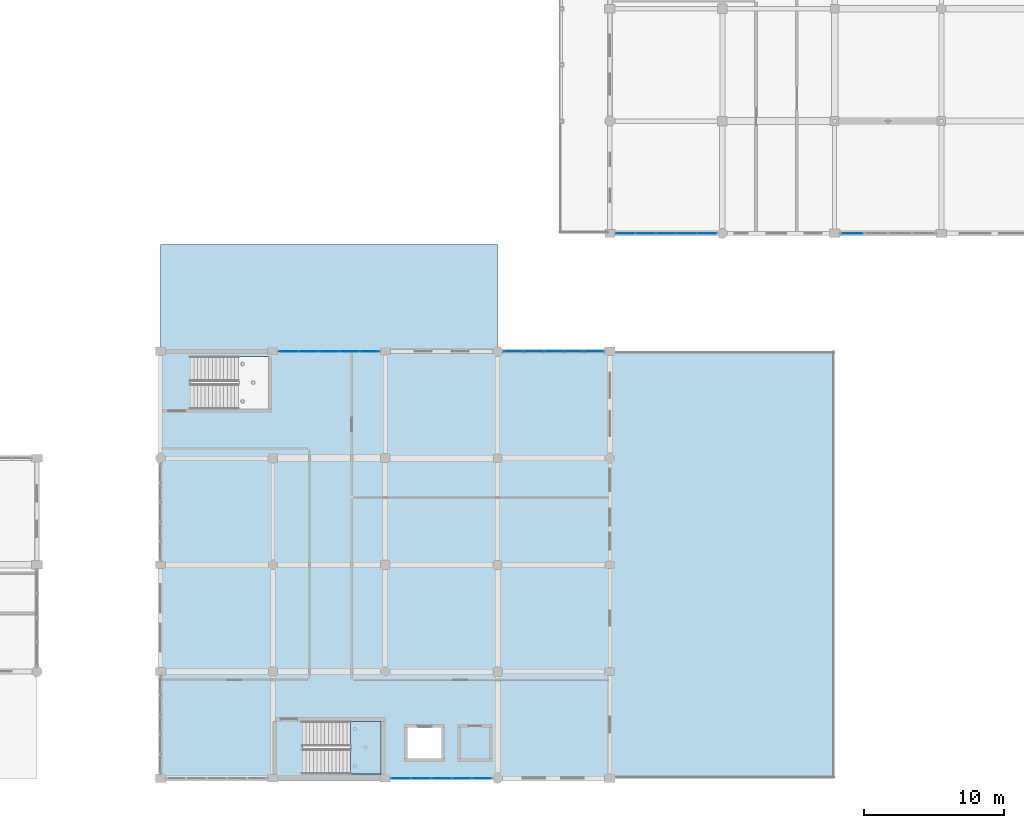
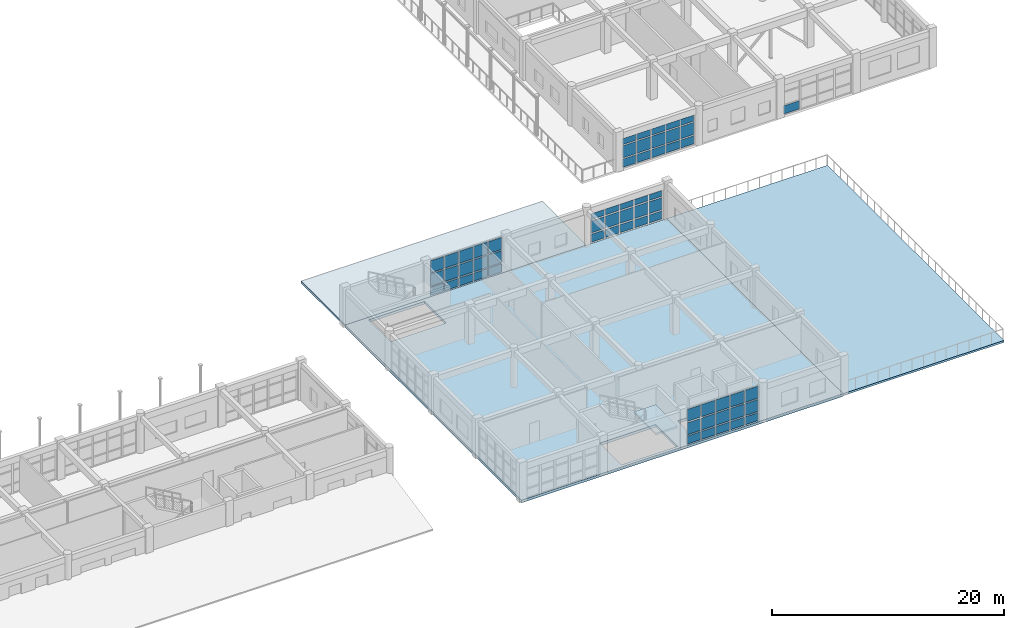
# One storey, part 152 of 195: 61 plates, 4 slabs, 6 elements without a shape of their own.
"""IFC4 building model written with IfcOpenShell, lengths in metres."""

from ifc_helpers import new_model, si_unit, direction, frame, origin, origin_2d, place, context, subcontext, project, spatial, polyline, rectangle, outline, extrude, material, layer, layer_set, type_object, element, aggregate, save


model = new_model("IFC4")

# Units and contexts
model_context = context("Model", 3, precision=1e-05, world=origin(), true_north=direction((0.0, 1.0)))
body_context = subcontext(model_context, "Body", "Model", "MODEL_VIEW")
ifc_project = project(units=[si_unit("LENGTHUNIT", "METRE"), si_unit("AREAUNIT", "SQUARE_METRE"), si_unit("VOLUMEUNIT", "CUBIC_METRE"), si_unit("PLANEANGLEUNIT", "RADIAN"), si_unit("MASSUNIT", "GRAM", prefix="KILO")], contexts=[model_context])

# Site, building, storey
site_placement = place(None, origin())
site = spatial("IfcSite", under=ifc_project, at=site_placement, CompositionType="ELEMENT")
building_placement = place(site_placement, origin())
building = spatial("IfcBuilding", under=site, at=building_placement, Name="Kharva Crest Polytechnic", CompositionType="ELEMENT")
storey_placement = place(building_placement, frame((0.0, 0.0, 9.0)))
storey = spatial("IfcBuildingStorey", under=building, at=storey_placement, Name="L02", CompositionType="ELEMENT", Elevation=9.0)

# Curtain wall, plates
ifc_material_1 = material(Name="Tempered insulated glass", Category="glass")
curtain_wall_type_1 = type_object("IfcCurtainWallType", Name="CW-SYS-COURT", PredefinedType="USERDEFINED", material=ifc_material_1)
curtain_wall_1_placement = place(storey_placement, origin())
curtain_wall_1 = element("IfcCurtainWall", 1, at=curtain_wall_1_placement, inside=storey, type_object=curtain_wall_type_1, Name="L02 Glazed Curtain Wall CW-101", ObjectType="CURTAIN WALL", PredefinedType="USERDEFINED")
ifc_layer_1 = layer(ifc_material_1, 0.02392578125, Name="Tempered insulated glass")
ifc_layer_set_1 = layer_set([ifc_layer_1], Name="Tempered insulated glass")
plate_type_1 = type_object("IfcPlateType", Name="CWP-GLZ-24", PredefinedType="CURTAIN_PANEL", material=ifc_layer_set_1)
plate_1_placement = place(storey_placement, frame((153.912109375, 38.800048828125, 0.119873046875), z_axis=(0.0, 0.0, 1.0), x_axis=(1.0, 0.0, 0.0)))
plate_1 = element("IfcPlate", 2, at=plate_1_placement, type_object=plate_type_1, Name="CW-101 panel 1.1", PredefinedType="CURTAIN_PANEL", context=body_context, shape_type="SweptSolid", body=[
    extrude(rectangle(XDim=1.333984375, YDim=0.02392578125, at=origin_2d()), origin(), (0.0, 0.0, 1.0), 0.8701171875),
])
plate_2_placement = place(storey_placement, frame((153.912109375, 38.800048828125, 1.10986328125), z_axis=(0.0, 0.0, 1.0), x_axis=(1.0, 0.0, 0.0)))
plate_2 = element("IfcPlate", 3, at=plate_2_placement, type_object=plate_type_1, Name="CW-101 panel 1.2", PredefinedType="CURTAIN_PANEL", context=body_context, shape_type="SweptSolid", body=[
    extrude(rectangle(XDim=1.333984375, YDim=0.02392578125, at=origin_2d()), origin(), (0.0, 0.0, 1.0), 1.280029296875),
])
plate_3_placement = place(storey_placement, frame((153.912109375, 38.800048828125, 2.51025390625), z_axis=(0.0, 0.0, 1.0), x_axis=(1.0, 0.0, 0.0)))
plate_3 = element("IfcPlate", 4, at=plate_3_placement, type_object=plate_type_1, Name="CW-101 panel 1.3", PredefinedType="CURTAIN_PANEL", context=body_context, shape_type="SweptSolid", body=[
    extrude(rectangle(XDim=1.333984375, YDim=0.02392578125, at=origin_2d()), origin(), (0.0, 0.0, 1.0), 0.639892578125),
])
plate_4_placement = place(storey_placement, frame((155.345947265625, 38.800048828125, 0.119873046875), z_axis=(0.0, 0.0, 1.0), x_axis=(1.0, 0.0, 0.0)))
plate_4 = element("IfcPlate", 5, at=plate_4_placement, type_object=plate_type_1, Name="CW-101 panel 2.1", PredefinedType="CURTAIN_PANEL", context=body_context, shape_type="SweptSolid", body=[
    extrude(rectangle(XDim=1.3740234375, YDim=0.02392578125, at=origin_2d()), origin(), (0.0, 0.0, 1.0), 0.8701171875),
])
plate_5_placement = place(storey_placement, frame((155.345947265625, 38.800048828125, 1.10986328125), z_axis=(0.0, 0.0, 1.0), x_axis=(1.0, 0.0, 0.0)))
plate_5 = element("IfcPlate", 6, at=plate_5_placement, type_object=plate_type_1, Name="CW-101 panel 2.2", PredefinedType="CURTAIN_PANEL", context=body_context, shape_type="SweptSolid", body=[
    extrude(rectangle(XDim=1.3740234375, YDim=0.02392578125, at=origin_2d()), origin(), (0.0, 0.0, 1.0), 1.280029296875),
])
plate_6_placement = place(storey_placement, frame((155.345947265625, 38.800048828125, 2.51025390625), z_axis=(0.0, 0.0, 1.0), x_axis=(1.0, 0.0, 0.0)))
plate_6 = element("IfcPlate", 7, at=plate_6_placement, type_object=plate_type_1, Name="CW-101 panel 2.3", PredefinedType="CURTAIN_PANEL", context=body_context, shape_type="SweptSolid", body=[
    extrude(rectangle(XDim=1.3740234375, YDim=0.02392578125, at=origin_2d()), origin(), (0.0, 0.0, 1.0), 0.639892578125),
])
plate_7_placement = place(storey_placement, frame((156.800048828125, 38.800048828125, 0.119873046875), z_axis=(0.0, 0.0, 1.0), x_axis=(1.0, 0.0, 0.0)))
plate_7 = element("IfcPlate", 8, at=plate_7_placement, type_object=plate_type_1, Name="CW-101 panel 3.1", PredefinedType="CURTAIN_PANEL", context=body_context, shape_type="SweptSolid", body=[
    extrude(rectangle(XDim=1.3740234375, YDim=0.02392578125, at=origin_2d()), origin(), (0.0, 0.0, 1.0), 0.8701171875),
])
plate_8_placement = place(storey_placement, frame((156.800048828125, 38.800048828125, 1.10986328125), z_axis=(0.0, 0.0, 1.0), x_axis=(1.0, 0.0, 0.0)))
plate_8 = element("IfcPlate", 9, at=plate_8_placement, type_object=plate_type_1, Name="CW-101 panel 3.2", PredefinedType="CURTAIN_PANEL", context=body_context, shape_type="SweptSolid", body=[
    extrude(rectangle(XDim=1.3740234375, YDim=0.02392578125, at=origin_2d()), origin(), (0.0, 0.0, 1.0), 1.280029296875),
])
plate_9_placement = place(storey_placement, frame((156.800048828125, 38.800048828125, 2.51025390625), z_axis=(0.0, 0.0, 1.0), x_axis=(1.0, 0.0, 0.0)))
plate_9 = element("IfcPlate", 10, at=plate_9_placement, type_object=plate_type_1, Name="CW-101 panel 3.3", PredefinedType="CURTAIN_PANEL", context=body_context, shape_type="SweptSolid", body=[
    extrude(rectangle(XDim=1.3740234375, YDim=0.02392578125, at=origin_2d()), origin(), (0.0, 0.0, 1.0), 0.639892578125),
])
plate_10_placement = place(storey_placement, frame((158.25390625, 38.800048828125, 0.119873046875), z_axis=(0.0, 0.0, 1.0), x_axis=(1.0, 0.0, 0.0)))
plate_10 = element("IfcPlate", 11, at=plate_10_placement, type_object=plate_type_1, Name="CW-101 panel 4.1", PredefinedType="CURTAIN_PANEL", context=body_context, shape_type="SweptSolid", body=[
    extrude(rectangle(XDim=1.3740234375, YDim=0.02392578125, at=origin_2d()), origin(), (0.0, 0.0, 1.0), 0.8701171875),
])
plate_11_placement = place(storey_placement, frame((158.25390625, 38.800048828125, 1.10986328125), z_axis=(0.0, 0.0, 1.0), x_axis=(1.0, 0.0, 0.0)))
plate_11 = element("IfcPlate", 12, at=plate_11_placement, type_object=plate_type_1, Name="CW-101 panel 4.2", PredefinedType="CURTAIN_PANEL", context=body_context, shape_type="SweptSolid", body=[
    extrude(rectangle(XDim=1.3740234375, YDim=0.02392578125, at=origin_2d()), origin(), (0.0, 0.0, 1.0), 1.280029296875),
])
plate_12_placement = place(storey_placement, frame((158.25390625, 38.800048828125, 2.51025390625), z_axis=(0.0, 0.0, 1.0), x_axis=(1.0, 0.0, 0.0)))
plate_12 = element("IfcPlate", 13, at=plate_12_placement, type_object=plate_type_1, Name="CW-101 panel 4.3", PredefinedType="CURTAIN_PANEL", context=body_context, shape_type="SweptSolid", body=[
    extrude(rectangle(XDim=1.3740234375, YDim=0.02392578125, at=origin_2d()), origin(), (0.0, 0.0, 1.0), 0.639892578125),
])
plate_13_placement = place(storey_placement, frame((159.68798828125, 38.800048828125, 0.119873046875), z_axis=(0.0, 0.0, 1.0), x_axis=(1.0, 0.0, 0.0)))
plate_13 = element("IfcPlate", 14, at=plate_13_placement, type_object=plate_type_1, Name="CW-101 panel 5.1", PredefinedType="CURTAIN_PANEL", context=body_context, shape_type="SweptSolid", body=[
    extrude(rectangle(XDim=1.333984375, YDim=0.02392578125, at=origin_2d()), origin(), (0.0, 0.0, 1.0), 0.8701171875),
])
plate_14_placement = place(storey_placement, frame((159.68798828125, 38.800048828125, 1.10986328125), z_axis=(0.0, 0.0, 1.0), x_axis=(1.0, 0.0, 0.0)))
plate_14 = element("IfcPlate", 15, at=plate_14_placement, type_object=plate_type_1, Name="CW-101 panel 5.2", PredefinedType="CURTAIN_PANEL", context=body_context, shape_type="SweptSolid", body=[
    extrude(rectangle(XDim=1.333984375, YDim=0.02392578125, at=origin_2d()), origin(), (0.0, 0.0, 1.0), 1.280029296875),
])
plate_15_placement = place(storey_placement, frame((159.68798828125, 38.800048828125, 2.51025390625), z_axis=(0.0, 0.0, 1.0), x_axis=(1.0, 0.0, 0.0)))
plate_15 = element("IfcPlate", 16, at=plate_15_placement, type_object=plate_type_1, Name="CW-101 panel 5.3", PredefinedType="CURTAIN_PANEL", context=body_context, shape_type="SweptSolid", body=[
    extrude(rectangle(XDim=1.333984375, YDim=0.02392578125, at=origin_2d()), origin(), (0.0, 0.0, 1.0), 0.639892578125),
])
aggregate(curtain_wall_1, [plate_1, plate_2, plate_3, plate_4, plate_5, plate_6, plate_7, plate_8, plate_9, plate_10, plate_11, plate_12, plate_13, plate_14, plate_15])

# Curtain wall, plate
curtain_wall_2_placement = place(storey_placement, origin())
curtain_wall_2 = element("IfcCurtainWall", 17, at=curtain_wall_2_placement, inside=storey, type_object=curtain_wall_type_1, Name="L02 Glazed Curtain Wall CW-102", ObjectType="CURTAIN WALL", PredefinedType="USERDEFINED")
plate_16_placement = place(storey_placement, frame((170.054931640625, 38.800048828125, 0.119873046875), z_axis=(0.0, 0.0, 1.0), x_axis=(1.0, 0.0, 0.0)))
plate_16 = element("IfcPlate", 18, at=plate_16_placement, type_object=plate_type_1, Name="CW-102 panel 1.1", PredefinedType="CURTAIN_PANEL", context=body_context, shape_type="SweptSolid", body=[
    extrude(rectangle(XDim=1.590087890625, YDim=0.02392578125, at=origin_2d()), origin(), (0.0, 0.0, 1.0), 0.8701171875),
])
aggregate(curtain_wall_2, [plate_16])

# Curtain wall, plates
curtain_wall_type_2 = type_object("IfcCurtainWallType", Name="CW-SYS-REFECTORY", PredefinedType="USERDEFINED", material=ifc_material_1)
curtain_wall_3_placement = place(storey_placement, origin())
curtain_wall_3 = element("IfcCurtainWall", 19, at=curtain_wall_3_placement, inside=storey, type_object=curtain_wall_type_2, Name="L02 Glazed Curtain Wall CW-095", ObjectType="CURTAIN WALL", PredefinedType="USERDEFINED")
ifc_layer_2 = layer(ifc_material_1, 0.030029296875, Name="Tempered insulated glass")
ifc_layer_set_2 = layer_set([ifc_layer_2], Name="Tempered insulated glass")
plate_type_2 = type_object("IfcPlateType", Name="CWP-GLZ-30", PredefinedType="CURTAIN_PANEL", material=ifc_layer_set_2)
plate_17_placement = place(storey_placement, frame((137.9169921875, 0.0, 0.14013671875), z_axis=(0.0, 0.0, 1.0), x_axis=(1.0, 0.0, 0.0)))
plate_17 = element("IfcPlate", 20, at=plate_17_placement, type_object=plate_type_2, Name="CW-095 panel 1.1", PredefinedType="CURTAIN_PANEL", context=body_context, shape_type="SweptSolid", body=[
    extrude(rectangle(XDim=1.303955078125, YDim=0.030029296875, at=origin_2d()), origin(), (0.0, 0.0, 1.0), 0.840087890625),
])
plate_18_placement = place(storey_placement, frame((137.9169921875, 0.0, 1.1201171875), z_axis=(0.0, 0.0, 1.0), x_axis=(1.0, 0.0, 0.0)))
plate_18 = element("IfcPlate", 21, at=plate_18_placement, type_object=plate_type_2, Name="CW-095 panel 1.2", PredefinedType="CURTAIN_PANEL", context=body_context, shape_type="SweptSolid", body=[
    extrude(rectangle(XDim=1.303955078125, YDim=0.030029296875, at=origin_2d()), origin(), (0.0, 0.0, 1.0), 1.260009765625),
])
plate_19_placement = place(storey_placement, frame((137.9169921875, 0.0, 2.52001953125), z_axis=(0.0, 0.0, 1.0), x_axis=(1.0, 0.0, 0.0)))
plate_19 = element("IfcPlate", 22, at=plate_19_placement, type_object=plate_type_2, Name="CW-095 panel 1.3", PredefinedType="CURTAIN_PANEL", context=body_context, shape_type="SweptSolid", body=[
    extrude(rectangle(XDim=1.303955078125, YDim=0.030029296875, at=origin_2d()), origin(), (0.0, 0.0, 1.0), 1.260009765625),
])
plate_20_placement = place(storey_placement, frame((139.345947265625, 0.0, 0.14013671875), z_axis=(0.0, 0.0, 1.0), x_axis=(1.0, 0.0, 0.0)))
plate_20 = element("IfcPlate", 23, at=plate_20_placement, type_object=plate_type_2, Name="CW-095 panel 2.1", PredefinedType="CURTAIN_PANEL", context=body_context, shape_type="SweptSolid", body=[
    extrude(rectangle(XDim=1.35400390625, YDim=0.030029296875, at=origin_2d()), origin(), (0.0, 0.0, 1.0), 0.840087890625),
])
plate_21_placement = place(storey_placement, frame((139.345947265625, 0.0, 1.1201171875), z_axis=(0.0, 0.0, 1.0), x_axis=(1.0, 0.0, 0.0)))
plate_21 = element("IfcPlate", 24, at=plate_21_placement, type_object=plate_type_2, Name="CW-095 panel 2.2", PredefinedType="CURTAIN_PANEL", context=body_context, shape_type="SweptSolid", body=[
    extrude(rectangle(XDim=1.35400390625, YDim=0.030029296875, at=origin_2d()), origin(), (0.0, 0.0, 1.0), 1.260009765625),
])
plate_22_placement = place(storey_placement, frame((139.345947265625, 0.0, 2.52001953125), z_axis=(0.0, 0.0, 1.0), x_axis=(1.0, 0.0, 0.0)))
plate_22 = element("IfcPlate", 25, at=plate_22_placement, type_object=plate_type_2, Name="CW-095 panel 2.3", PredefinedType="CURTAIN_PANEL", context=body_context, shape_type="SweptSolid", body=[
    extrude(rectangle(XDim=1.35400390625, YDim=0.030029296875, at=origin_2d()), origin(), (0.0, 0.0, 1.0), 1.260009765625),
])
plate_23_placement = place(storey_placement, frame((140.800048828125, 0.0, 0.14013671875), z_axis=(0.0, 0.0, 1.0), x_axis=(1.0, 0.0, 0.0)))
plate_23 = element("IfcPlate", 26, at=plate_23_placement, type_object=plate_type_2, Name="CW-095 panel 3.1", PredefinedType="CURTAIN_PANEL", context=body_context, shape_type="SweptSolid", body=[
    extrude(rectangle(XDim=1.35400390625, YDim=0.030029296875, at=origin_2d()), origin(), (0.0, 0.0, 1.0), 0.840087890625),
])
plate_24_placement = place(storey_placement, frame((140.800048828125, 0.0, 1.1201171875), z_axis=(0.0, 0.0, 1.0), x_axis=(1.0, 0.0, 0.0)))
plate_24 = element("IfcPlate", 27, at=plate_24_placement, type_object=plate_type_2, Name="CW-095 panel 3.2", PredefinedType="CURTAIN_PANEL", context=body_context, shape_type="SweptSolid", body=[
    extrude(rectangle(XDim=1.35400390625, YDim=0.030029296875, at=origin_2d()), origin(), (0.0, 0.0, 1.0), 1.260009765625),
])
plate_25_placement = place(storey_placement, frame((140.800048828125, 0.0, 2.52001953125), z_axis=(0.0, 0.0, 1.0), x_axis=(1.0, 0.0, 0.0)))
plate_25 = element("IfcPlate", 28, at=plate_25_placement, type_object=plate_type_2, Name="CW-095 panel 3.3", PredefinedType="CURTAIN_PANEL", context=body_context, shape_type="SweptSolid", body=[
    extrude(rectangle(XDim=1.35400390625, YDim=0.030029296875, at=origin_2d()), origin(), (0.0, 0.0, 1.0), 1.260009765625),
])
plate_26_placement = place(storey_placement, frame((142.25390625, 0.0, 0.14013671875), z_axis=(0.0, 0.0, 1.0), x_axis=(1.0, 0.0, 0.0)))
plate_26 = element("IfcPlate", 29, at=plate_26_placement, type_object=plate_type_2, Name="CW-095 panel 4.1", PredefinedType="CURTAIN_PANEL", context=body_context, shape_type="SweptSolid", body=[
    extrude(rectangle(XDim=1.35400390625, YDim=0.030029296875, at=origin_2d()), origin(), (0.0, 0.0, 1.0), 0.840087890625),
])
plate_27_placement = place(storey_placement, frame((142.25390625, 0.0, 1.1201171875), z_axis=(0.0, 0.0, 1.0), x_axis=(1.0, 0.0, 0.0)))
plate_27 = element("IfcPlate", 30, at=plate_27_placement, type_object=plate_type_2, Name="CW-095 panel 4.2", PredefinedType="CURTAIN_PANEL", context=body_context, shape_type="SweptSolid", body=[
    extrude(rectangle(XDim=1.35400390625, YDim=0.030029296875, at=origin_2d()), origin(), (0.0, 0.0, 1.0), 1.260009765625),
])
plate_28_placement = place(storey_placement, frame((142.25390625, 0.0, 2.52001953125), z_axis=(0.0, 0.0, 1.0), x_axis=(1.0, 0.0, 0.0)))
plate_28 = element("IfcPlate", 31, at=plate_28_placement, type_object=plate_type_2, Name="CW-095 panel 4.3", PredefinedType="CURTAIN_PANEL", context=body_context, shape_type="SweptSolid", body=[
    extrude(rectangle(XDim=1.35400390625, YDim=0.030029296875, at=origin_2d()), origin(), (0.0, 0.0, 1.0), 1.260009765625),
])
plate_29_placement = place(storey_placement, frame((143.68310546875, 0.0, 0.14013671875), z_axis=(0.0, 0.0, 1.0), x_axis=(1.0, 0.0, 0.0)))
plate_29 = element("IfcPlate", 32, at=plate_29_placement, type_object=plate_type_2, Name="CW-095 panel 5.1", PredefinedType="CURTAIN_PANEL", context=body_context, shape_type="SweptSolid", body=[
    extrude(rectangle(XDim=1.303955078125, YDim=0.030029296875, at=origin_2d()), origin(), (0.0, 0.0, 1.0), 0.840087890625),
])
plate_30_placement = place(storey_placement, frame((143.68310546875, 0.0, 1.1201171875), z_axis=(0.0, 0.0, 1.0), x_axis=(1.0, 0.0, 0.0)))
plate_30 = element("IfcPlate", 33, at=plate_30_placement, type_object=plate_type_2, Name="CW-095 panel 5.2", PredefinedType="CURTAIN_PANEL", context=body_context, shape_type="SweptSolid", body=[
    extrude(rectangle(XDim=1.303955078125, YDim=0.030029296875, at=origin_2d()), origin(), (0.0, 0.0, 1.0), 1.260009765625),
])
plate_31_placement = place(storey_placement, frame((143.68310546875, 0.0, 2.52001953125), z_axis=(0.0, 0.0, 1.0), x_axis=(1.0, 0.0, 0.0)))
plate_31 = element("IfcPlate", 34, at=plate_31_placement, type_object=plate_type_2, Name="CW-095 panel 5.3", PredefinedType="CURTAIN_PANEL", context=body_context, shape_type="SweptSolid", body=[
    extrude(rectangle(XDim=1.303955078125, YDim=0.030029296875, at=origin_2d()), origin(), (0.0, 0.0, 1.0), 1.260009765625),
])
aggregate(curtain_wall_3, [plate_17, plate_18, plate_19, plate_20, plate_21, plate_22, plate_23, plate_24, plate_25, plate_26, plate_27, plate_28, plate_29, plate_30, plate_31])

curtain_wall_4_placement = place(storey_placement, origin())
curtain_wall_4 = element("IfcCurtainWall", 35, at=curtain_wall_4_placement, inside=storey, type_object=curtain_wall_type_2, Name="L02 Glazed Curtain Wall CW-096", ObjectType="CURTAIN WALL", PredefinedType="USERDEFINED")
plate_32_placement = place(storey_placement, frame((151.66943359375, 30.39990234375, 0.14013671875), z_axis=(0.0, 0.0, 1.0), x_axis=(-1.0, 0.0, 0.0)))
plate_32 = element("IfcPlate", 36, at=plate_32_placement, type_object=plate_type_2, Name="CW-096 panel 1.1", PredefinedType="CURTAIN_PANEL", context=body_context, shape_type="SweptSolid", body=[
    extrude(rectangle(XDim=1.301025390625, YDim=0.030029296875, at=origin_2d()), origin(), (0.0, 0.0, 1.0), 0.840087890625),
])
plate_33_placement = place(storey_placement, frame((151.66943359375, 30.39990234375, 1.1201171875), z_axis=(0.0, 0.0, 1.0), x_axis=(-1.0, 0.0, 0.0)))
plate_33 = element("IfcPlate", 37, at=plate_33_placement, type_object=plate_type_2, Name="CW-096 panel 1.2", PredefinedType="CURTAIN_PANEL", context=body_context, shape_type="SweptSolid", body=[
    extrude(rectangle(XDim=1.301025390625, YDim=0.030029296875, at=origin_2d()), origin(), (0.0, 0.0, 1.0), 1.260009765625),
])
plate_34_placement = place(storey_placement, frame((151.66943359375, 30.39990234375, 2.52001953125), z_axis=(0.0, 0.0, 1.0), x_axis=(-1.0, 0.0, 0.0)))
plate_34 = element("IfcPlate", 38, at=plate_34_placement, type_object=plate_type_2, Name="CW-096 panel 1.3", PredefinedType="CURTAIN_PANEL", context=body_context, shape_type="SweptSolid", body=[
    extrude(rectangle(XDim=1.301025390625, YDim=0.030029296875, at=origin_2d()), origin(), (0.0, 0.0, 1.0), 0.610107421875),
])
plate_35_placement = place(storey_placement, frame((150.243408203125, 30.39990234375, 0.14013671875), z_axis=(0.0, 0.0, 1.0), x_axis=(-1.0, 0.0, 0.0)))
plate_35 = element("IfcPlate", 39, at=plate_35_placement, type_object=plate_type_2, Name="CW-096 panel 2.1", PredefinedType="CURTAIN_PANEL", context=body_context, shape_type="SweptSolid", body=[
    extrude(rectangle(XDim=1.35107421875, YDim=0.030029296875, at=origin_2d()), origin(), (0.0, 0.0, 1.0), 0.840087890625),
])
plate_36_placement = place(storey_placement, frame((150.243408203125, 30.39990234375, 1.1201171875), z_axis=(0.0, 0.0, 1.0), x_axis=(-1.0, 0.0, 0.0)))
plate_36 = element("IfcPlate", 40, at=plate_36_placement, type_object=plate_type_2, Name="CW-096 panel 2.2", PredefinedType="CURTAIN_PANEL", context=body_context, shape_type="SweptSolid", body=[
    extrude(rectangle(XDim=1.35107421875, YDim=0.030029296875, at=origin_2d()), origin(), (0.0, 0.0, 1.0), 1.260009765625),
])
plate_37_placement = place(storey_placement, frame((150.243408203125, 30.39990234375, 2.52001953125), z_axis=(0.0, 0.0, 1.0), x_axis=(-1.0, 0.0, 0.0)))
plate_37 = element("IfcPlate", 41, at=plate_37_placement, type_object=plate_type_2, Name="CW-096 panel 2.3", PredefinedType="CURTAIN_PANEL", context=body_context, shape_type="SweptSolid", body=[
    extrude(rectangle(XDim=1.35107421875, YDim=0.030029296875, at=origin_2d()), origin(), (0.0, 0.0, 1.0), 0.610107421875),
])
plate_38_placement = place(storey_placement, frame((148.79248046875, 30.39990234375, 0.14013671875), z_axis=(0.0, 0.0, 1.0), x_axis=(-1.0, 0.0, 0.0)))
plate_38 = element("IfcPlate", 42, at=plate_38_placement, type_object=plate_type_2, Name="CW-096 panel 3.1", PredefinedType="CURTAIN_PANEL", context=body_context, shape_type="SweptSolid", body=[
    extrude(rectangle(XDim=1.35107421875, YDim=0.030029296875, at=origin_2d()), origin(), (0.0, 0.0, 1.0), 0.840087890625),
])
plate_39_placement = place(storey_placement, frame((148.79248046875, 30.39990234375, 1.1201171875), z_axis=(0.0, 0.0, 1.0), x_axis=(-1.0, 0.0, 0.0)))
plate_39 = element("IfcPlate", 43, at=plate_39_placement, type_object=plate_type_2, Name="CW-096 panel 3.2", PredefinedType="CURTAIN_PANEL", context=body_context, shape_type="SweptSolid", body=[
    extrude(rectangle(XDim=1.35107421875, YDim=0.030029296875, at=origin_2d()), origin(), (0.0, 0.0, 1.0), 1.260009765625),
])
plate_40_placement = place(storey_placement, frame((148.79248046875, 30.39990234375, 2.52001953125), z_axis=(0.0, 0.0, 1.0), x_axis=(-1.0, 0.0, 0.0)))
plate_40 = element("IfcPlate", 44, at=plate_40_placement, type_object=plate_type_2, Name="CW-096 panel 3.3", PredefinedType="CURTAIN_PANEL", context=body_context, shape_type="SweptSolid", body=[
    extrude(rectangle(XDim=1.35107421875, YDim=0.030029296875, at=origin_2d()), origin(), (0.0, 0.0, 1.0), 0.610107421875),
])
plate_41_placement = place(storey_placement, frame((147.341552734375, 30.39990234375, 0.14013671875), z_axis=(0.0, 0.0, 1.0), x_axis=(-1.0, 0.0, 0.0)))
plate_41 = element("IfcPlate", 45, at=plate_41_placement, type_object=plate_type_2, Name="CW-096 panel 4.1", PredefinedType="CURTAIN_PANEL", context=body_context, shape_type="SweptSolid", body=[
    extrude(rectangle(XDim=1.35107421875, YDim=0.030029296875, at=origin_2d()), origin(), (0.0, 0.0, 1.0), 0.840087890625),
])
plate_42_placement = place(storey_placement, frame((147.341552734375, 30.39990234375, 1.1201171875), z_axis=(0.0, 0.0, 1.0), x_axis=(-1.0, 0.0, 0.0)))
plate_42 = element("IfcPlate", 46, at=plate_42_placement, type_object=plate_type_2, Name="CW-096 panel 4.2", PredefinedType="CURTAIN_PANEL", context=body_context, shape_type="SweptSolid", body=[
    extrude(rectangle(XDim=1.35107421875, YDim=0.030029296875, at=origin_2d()), origin(), (0.0, 0.0, 1.0), 1.260009765625),
])
plate_43_placement = place(storey_placement, frame((147.341552734375, 30.39990234375, 2.52001953125), z_axis=(0.0, 0.0, 1.0), x_axis=(-1.0, 0.0, 0.0)))
plate_43 = element("IfcPlate", 47, at=plate_43_placement, type_object=plate_type_2, Name="CW-096 panel 4.3", PredefinedType="CURTAIN_PANEL", context=body_context, shape_type="SweptSolid", body=[
    extrude(rectangle(XDim=1.35107421875, YDim=0.030029296875, at=origin_2d()), origin(), (0.0, 0.0, 1.0), 0.610107421875),
])
plate_44_placement = place(storey_placement, frame((145.91552734375, 30.39990234375, 0.14013671875), z_axis=(0.0, 0.0, 1.0), x_axis=(-1.0, 0.0, 0.0)))
plate_44 = element("IfcPlate", 48, at=plate_44_placement, type_object=plate_type_2, Name="CW-096 panel 5.1", PredefinedType="CURTAIN_PANEL", context=body_context, shape_type="SweptSolid", body=[
    extrude(rectangle(XDim=1.301025390625, YDim=0.030029296875, at=origin_2d()), origin(), (0.0, 0.0, 1.0), 0.840087890625),
])
plate_45_placement = place(storey_placement, frame((145.91552734375, 30.39990234375, 1.1201171875), z_axis=(0.0, 0.0, 1.0), x_axis=(-1.0, 0.0, 0.0)))
plate_45 = element("IfcPlate", 49, at=plate_45_placement, type_object=plate_type_2, Name="CW-096 panel 5.2", PredefinedType="CURTAIN_PANEL", context=body_context, shape_type="SweptSolid", body=[
    extrude(rectangle(XDim=1.301025390625, YDim=0.030029296875, at=origin_2d()), origin(), (0.0, 0.0, 1.0), 1.260009765625),
])
plate_46_placement = place(storey_placement, frame((145.91552734375, 30.39990234375, 2.52001953125), z_axis=(0.0, 0.0, 1.0), x_axis=(-1.0, 0.0, 0.0)))
plate_46 = element("IfcPlate", 50, at=plate_46_placement, type_object=plate_type_2, Name="CW-096 panel 5.3", PredefinedType="CURTAIN_PANEL", context=body_context, shape_type="SweptSolid", body=[
    extrude(rectangle(XDim=1.301025390625, YDim=0.030029296875, at=origin_2d()), origin(), (0.0, 0.0, 1.0), 0.610107421875),
])
aggregate(curtain_wall_4, [plate_32, plate_33, plate_34, plate_35, plate_36, plate_37, plate_38, plate_39, plate_40, plate_41, plate_42, plate_43, plate_44, plate_45, plate_46])

curtain_wall_5_placement = place(storey_placement, origin())
curtain_wall_5 = element("IfcCurtainWall", 51, at=curtain_wall_5_placement, inside=storey, type_object=curtain_wall_type_2, Name="L02 Glazed Curtain Wall CW-097", ObjectType="CURTAIN WALL", PredefinedType="USERDEFINED")
plate_47_placement = place(storey_placement, frame((135.6845703125, 30.39990234375, 0.14013671875), z_axis=(0.0, 0.0, 1.0), x_axis=(-1.0, 0.0, 0.0)))
plate_47 = element("IfcPlate", 52, at=plate_47_placement, type_object=plate_type_2, Name="CW-097 panel 1.1", PredefinedType="CURTAIN_PANEL", context=body_context, shape_type="SweptSolid", body=[
    extrude(rectangle(XDim=1.301025390625, YDim=0.030029296875, at=origin_2d()), origin(), (0.0, 0.0, 1.0), 0.840087890625),
])
plate_48_placement = place(storey_placement, frame((135.6845703125, 30.39990234375, 1.1201171875), z_axis=(0.0, 0.0, 1.0), x_axis=(-1.0, 0.0, 0.0)))
plate_48 = element("IfcPlate", 53, at=plate_48_placement, type_object=plate_type_2, Name="CW-097 panel 1.2", PredefinedType="CURTAIN_PANEL", context=body_context, shape_type="SweptSolid", body=[
    extrude(rectangle(XDim=1.301025390625, YDim=0.030029296875, at=origin_2d()), origin(), (0.0, 0.0, 1.0), 1.260009765625),
])
plate_49_placement = place(storey_placement, frame((135.6845703125, 30.39990234375, 2.52001953125), z_axis=(0.0, 0.0, 1.0), x_axis=(-1.0, 0.0, 0.0)))
plate_49 = element("IfcPlate", 54, at=plate_49_placement, type_object=plate_type_2, Name="CW-097 panel 1.3", PredefinedType="CURTAIN_PANEL", context=body_context, shape_type="SweptSolid", body=[
    extrude(rectangle(XDim=1.301025390625, YDim=0.030029296875, at=origin_2d()), origin(), (0.0, 0.0, 1.0), 1.260009765625),
])
plate_50_placement = place(storey_placement, frame((134.258544921875, 30.39990234375, 0.14013671875), z_axis=(0.0, 0.0, 1.0), x_axis=(-1.0, 0.0, 0.0)))
plate_50 = element("IfcPlate", 55, at=plate_50_placement, type_object=plate_type_2, Name="CW-097 panel 2.1", PredefinedType="CURTAIN_PANEL", context=body_context, shape_type="SweptSolid", body=[
    extrude(rectangle(XDim=1.35107421875, YDim=0.030029296875, at=origin_2d()), origin(), (0.0, 0.0, 1.0), 0.840087890625),
])
plate_51_placement = place(storey_placement, frame((134.258544921875, 30.39990234375, 1.1201171875), z_axis=(0.0, 0.0, 1.0), x_axis=(-1.0, 0.0, 0.0)))
plate_51 = element("IfcPlate", 56, at=plate_51_placement, type_object=plate_type_2, Name="CW-097 panel 2.2", PredefinedType="CURTAIN_PANEL", context=body_context, shape_type="SweptSolid", body=[
    extrude(rectangle(XDim=1.35107421875, YDim=0.030029296875, at=origin_2d()), origin(), (0.0, 0.0, 1.0), 1.260009765625),
])
plate_52_placement = place(storey_placement, frame((134.258544921875, 30.39990234375, 2.52001953125), z_axis=(0.0, 0.0, 1.0), x_axis=(-1.0, 0.0, 0.0)))
plate_52 = element("IfcPlate", 57, at=plate_52_placement, type_object=plate_type_2, Name="CW-097 panel 2.3", PredefinedType="CURTAIN_PANEL", context=body_context, shape_type="SweptSolid", body=[
    extrude(rectangle(XDim=1.35107421875, YDim=0.030029296875, at=origin_2d()), origin(), (0.0, 0.0, 1.0), 1.260009765625),
])
plate_53_placement = place(storey_placement, frame((132.8076171875, 30.39990234375, 0.14013671875), z_axis=(0.0, 0.0, 1.0), x_axis=(-1.0, 0.0, 0.0)))
plate_53 = element("IfcPlate", 58, at=plate_53_placement, type_object=plate_type_2, Name="CW-097 panel 3.1", PredefinedType="CURTAIN_PANEL", context=body_context, shape_type="SweptSolid", body=[
    extrude(rectangle(XDim=1.35107421875, YDim=0.030029296875, at=origin_2d()), origin(), (0.0, 0.0, 1.0), 0.840087890625),
])
plate_54_placement = place(storey_placement, frame((132.8076171875, 30.39990234375, 1.1201171875), z_axis=(0.0, 0.0, 1.0), x_axis=(-1.0, 0.0, 0.0)))
plate_54 = element("IfcPlate", 59, at=plate_54_placement, type_object=plate_type_2, Name="CW-097 panel 3.2", PredefinedType="CURTAIN_PANEL", context=body_context, shape_type="SweptSolid", body=[
    extrude(rectangle(XDim=1.35107421875, YDim=0.030029296875, at=origin_2d()), origin(), (0.0, 0.0, 1.0), 1.260009765625),
])
plate_55_placement = place(storey_placement, frame((132.8076171875, 30.39990234375, 2.52001953125), z_axis=(0.0, 0.0, 1.0), x_axis=(-1.0, 0.0, 0.0)))
plate_55 = element("IfcPlate", 60, at=plate_55_placement, type_object=plate_type_2, Name="CW-097 panel 3.3", PredefinedType="CURTAIN_PANEL", context=body_context, shape_type="SweptSolid", body=[
    extrude(rectangle(XDim=1.35107421875, YDim=0.030029296875, at=origin_2d()), origin(), (0.0, 0.0, 1.0), 1.260009765625),
])
plate_56_placement = place(storey_placement, frame((131.3564453125, 30.39990234375, 0.14013671875), z_axis=(0.0, 0.0, 1.0), x_axis=(-1.0, 0.0, 0.0)))
plate_56 = element("IfcPlate", 61, at=plate_56_placement, type_object=plate_type_2, Name="CW-097 panel 4.1", PredefinedType="CURTAIN_PANEL", context=body_context, shape_type="SweptSolid", body=[
    extrude(rectangle(XDim=1.35107421875, YDim=0.030029296875, at=origin_2d()), origin(), (0.0, 0.0, 1.0), 0.840087890625),
])
plate_57_placement = place(storey_placement, frame((131.3564453125, 30.39990234375, 1.1201171875), z_axis=(0.0, 0.0, 1.0), x_axis=(-1.0, 0.0, 0.0)))
plate_57 = element("IfcPlate", 62, at=plate_57_placement, type_object=plate_type_2, Name="CW-097 panel 4.2", PredefinedType="CURTAIN_PANEL", context=body_context, shape_type="SweptSolid", body=[
    extrude(rectangle(XDim=1.35107421875, YDim=0.030029296875, at=origin_2d()), origin(), (0.0, 0.0, 1.0), 1.260009765625),
])
plate_58_placement = place(storey_placement, frame((131.3564453125, 30.39990234375, 2.52001953125), z_axis=(0.0, 0.0, 1.0), x_axis=(-1.0, 0.0, 0.0)))
plate_58 = element("IfcPlate", 63, at=plate_58_placement, type_object=plate_type_2, Name="CW-097 panel 4.3", PredefinedType="CURTAIN_PANEL", context=body_context, shape_type="SweptSolid", body=[
    extrude(rectangle(XDim=1.35107421875, YDim=0.030029296875, at=origin_2d()), origin(), (0.0, 0.0, 1.0), 1.260009765625),
])
plate_59_placement = place(storey_placement, frame((129.930419921875, 30.39990234375, 0.14013671875), z_axis=(0.0, 0.0, 1.0), x_axis=(-1.0, 0.0, 0.0)))
plate_59 = element("IfcPlate", 64, at=plate_59_placement, type_object=plate_type_2, Name="CW-097 panel 5.1", PredefinedType="CURTAIN_PANEL", context=body_context, shape_type="SweptSolid", body=[
    extrude(rectangle(XDim=1.301025390625, YDim=0.030029296875, at=origin_2d()), origin(), (0.0, 0.0, 1.0), 0.840087890625),
])
plate_60_placement = place(storey_placement, frame((129.930419921875, 30.39990234375, 1.1201171875), z_axis=(0.0, 0.0, 1.0), x_axis=(-1.0, 0.0, 0.0)))
plate_60 = element("IfcPlate", 65, at=plate_60_placement, type_object=plate_type_2, Name="CW-097 panel 5.2", PredefinedType="CURTAIN_PANEL", context=body_context, shape_type="SweptSolid", body=[
    extrude(rectangle(XDim=1.301025390625, YDim=0.030029296875, at=origin_2d()), origin(), (0.0, 0.0, 1.0), 1.260009765625),
])
plate_61_placement = place(storey_placement, frame((129.930419921875, 30.39990234375, 2.52001953125), z_axis=(0.0, 0.0, 1.0), x_axis=(-1.0, 0.0, 0.0)))
plate_61 = element("IfcPlate", 66, at=plate_61_placement, type_object=plate_type_2, Name="CW-097 panel 5.3", PredefinedType="CURTAIN_PANEL", context=body_context, shape_type="SweptSolid", body=[
    extrude(rectangle(XDim=1.301025390625, YDim=0.030029296875, at=origin_2d()), origin(), (0.0, 0.0, 1.0), 1.260009765625),
])
aggregate(curtain_wall_5, [plate_47, plate_48, plate_49, plate_50, plate_51, plate_52, plate_53, plate_54, plate_55, plate_56, plate_57, plate_58, plate_59, plate_60, plate_61])

# Slab
ifc_material_2 = material(Name="Concrete C35/45", Category="concrete")
ifc_layer_3 = layer(ifc_material_2, 0.280029296875, Name="Concrete C35/45")
ifc_layer_set_3 = layer_set([ifc_layer_3], Name="Concrete C35/45")
slab_type_1 = type_object("IfcSlabType", Name="SLB-FLR-280", PredefinedType="FLOOR", material=ifc_layer_set_3)
slab_1_placement = place(storey_placement, frame((0.0, 0.0, -0.280029296875)))
element("IfcSlab", 67, at=slab_1_placement, inside=storey, type_object=slab_type_1, Name="L02 Structural Slab SE_REF_UPPER", PredefinedType="FLOOR", context=body_context, shape_type="SweptSolid", body=[
    extrude(outline(polyline([(120.800048828125, 0.0), (152.800048828125, 0.0), (152.800048828125, 30.39990234375), (120.800048828125, 30.39990234375), (120.800048828125, 0.0)]), holes=[polyline([(130.929931640625, 0.300048828125), (136.5, 0.300048828125), (136.5, 4.06005859375), (130.929931640625, 4.06005859375), (130.929931640625, 0.300048828125)]), polyline([(138.39990234375, 1.39990234375), (140.800048828125, 1.39990234375), (140.800048828125, 3.60009765625), (138.39990234375, 3.60009765625), (138.39990234375, 1.39990234375)]), polyline([(122.93994140625, 26.2900390625), (128.5, 26.2900390625), (128.5, 30.050048828125), (122.93994140625, 30.050048828125), (122.93994140625, 26.2900390625)])]), origin(), (0.0, 0.0, 1.0), 0.280029296875),
])

# Stair, slab
stair_type = type_object("IfcStairType", Name="STR-DOGLEG-1780", PredefinedType="TWO_STRAIGHT_RUN_STAIR", material=ifc_material_2)
stair_placement = place(storey_placement, origin())
stair = element("IfcStair", 68, at=stair_placement, inside=storey, type_object=stair_type, Name="L02 South-East Refectory Escarpment Core C6", PredefinedType="TWO_STRAIGHT_RUN_STAIR")
ifc_layer_4 = layer(ifc_material_2, 0.199951171875, Name="Concrete C35/45")
ifc_layer_set_4 = layer_set([ifc_layer_4], Name="Concrete C35/45")
slab_type_2 = type_object("IfcSlabType", Name="SLB-LAND-200", PredefinedType="LANDING", material=ifc_layer_set_4)
slab_2_placement = place(storey_placement, frame((0.0, 0.0, 1.89990234375)))
slab_2 = element("IfcSlab", 69, at=slab_2_placement, type_object=slab_type_2, Name="ST-06 landing 1", PredefinedType="LANDING", context=body_context, shape_type="SweptSolid", body=[
    extrude(outline(polyline([(134.3349609375, 0.300048828125), (136.5, 0.300048828125), (136.5, 4.06005859375), (134.3349609375, 4.06005859375), (134.3349609375, 0.300048828125)])), origin(), (0.0, 0.0, 1.0), 0.2001953125),
])
aggregate(stair, [slab_2])

# Slabs
ifc_layer_5 = layer(ifc_material_2, 0.22509765625, Name="Concrete C35/45")
ifc_layer_set_5 = layer_set([ifc_layer_5], Name="Concrete C35/45")
slab_type_3 = type_object("IfcSlabType", Name="SLB-ROOF-225", PredefinedType="ROOF", material=ifc_layer_set_5)
slab_3_placement = place(storey_placement, frame((0.0, 0.0, -0.22509765625)))
element("IfcSlab", 70, at=slab_3_placement, inside=storey, type_object=slab_type_3, Name="Refectory North Bay Lower Roof", PredefinedType="ROOF", context=body_context, shape_type="SweptSolid", body=[
    extrude(outline(polyline([(120.800048828125, 30.39990234375), (144.800048828125, 30.39990234375), (144.800048828125, 38.0), (120.800048828125, 38.0), (120.800048828125, 30.39990234375)])), origin(), (0.0, 0.0, 1.0), 0.22509765625),
])
ifc_layer_6 = layer(ifc_material_2, 0.205078125, Name="Concrete C35/45")
ifc_layer_set_6 = layer_set([ifc_layer_6], Name="Concrete C35/45")
slab_type_4 = type_object("IfcSlabType", Name="SLB-TER-205", PredefinedType="FLOOR", material=ifc_layer_set_6)
slab_4_placement = place(storey_placement, frame((0.0, 0.0, -0.205078125)))
element("IfcSlab", 71, at=slab_4_placement, inside=storey, type_object=slab_type_4, Name="L02 Outdoor Terrace Slab TER_SE_L02", PredefinedType="FLOOR", context=body_context, shape_type="SweptSolid", body=[
    extrude(outline(polyline([(152.800048828125, 0.0), (168.800048828125, 0.0), (168.800048828125, 30.39990234375), (152.800048828125, 30.39990234375), (152.800048828125, 0.0)])), origin(), (0.0, 0.0, 1.0), 0.205078125),
])

save(model, "model.ifc")
